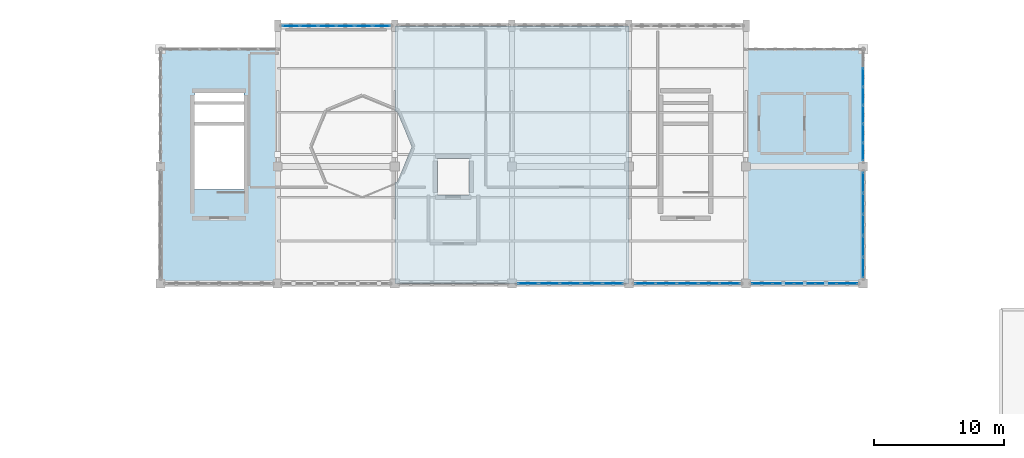
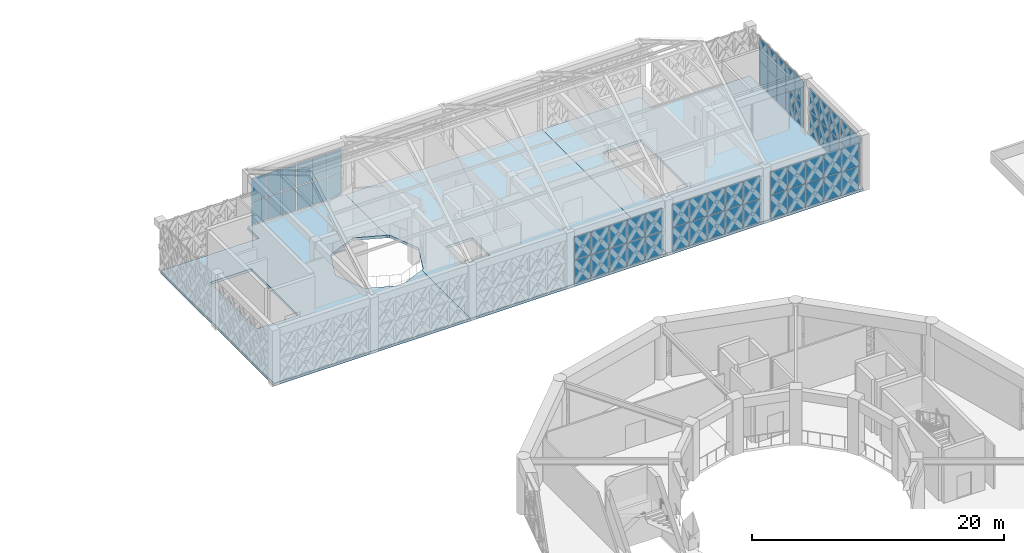
# One storey, part 62 of 72: 62 plates, 3 slabs, 6 elements without a shape of their own.
"""IFC4 building model written with IfcOpenShell, lengths in metres."""

from ifc_helpers import new_model, si_unit, direction, frame, origin, origin_2d, place, context, subcontext, project, spatial, polyline, rectangle, outline, extrude, material, layer, layer_set, type_object, element, aggregate, save


model = new_model("IFC4")

# Units and contexts
model_context = context("Model", 3, precision=1e-05, world=origin(), true_north=direction((0.0, 1.0)))
body_context = subcontext(model_context, "Body", "Model", "MODEL_VIEW")
ifc_project = project(units=[si_unit("LENGTHUNIT", "METRE"), si_unit("AREAUNIT", "SQUARE_METRE"), si_unit("VOLUMEUNIT", "CUBIC_METRE"), si_unit("PLANEANGLEUNIT", "RADIAN"), si_unit("MASSUNIT", "GRAM", prefix="KILO")], contexts=[model_context])

# Site, building, storey
site_placement = place(None, origin())
site = spatial("IfcSite", under=ifc_project, at=site_placement, CompositionType="ELEMENT")
building_placement = place(site_placement, origin())
building = spatial("IfcBuilding", under=site, at=building_placement, Name="Haizhuo Lancet Aquarium", CompositionType="ELEMENT")
storey_placement = place(building_placement, frame((0.0, 0.0, 21.60009765625)))
storey = spatial("IfcBuildingStorey", under=building, at=storey_placement, Name="L04", CompositionType="ELEMENT", Elevation=21.60009765625)

# Curtain wall, plates
ifc_material_1 = material(Name="Aluminium 6063-T6", Category="aluminium")
curtain_wall_type_1 = type_object("IfcCurtainWallType", Name="CWD-8410x4650", PredefinedType="NOTDEFINED", material=ifc_material_1)
curtain_wall_1_placement = place(storey_placement, origin())
curtain_wall_1 = element("IfcCurtainWall", 1, at=curtain_wall_1_placement, inside=storey, type_object=curtain_wall_type_1, Name="L04 curtain wall CW-V5-L04-177", PredefinedType="NOTDEFINED")
ifc_material_2 = material(Name="Laminated Low-E Glass", Category="glass")
ifc_layer_1 = layer(ifc_material_2, 0.028076171875)
ifc_layer_set_1 = layer_set([ifc_layer_1], Name="Laminated Low-E Glass")
plate_type_1 = type_object("IfcPlateType", Name="CW-PNL-1", PredefinedType="CURTAIN_PANEL", material=ifc_layer_set_1)
plate_1_placement = place(storey_placement, frame((-16.98388671875, 55.800048828125, 0.079345703125), z_axis=(0.0, 0.0, 1.0), x_axis=(1.0, 0.0, 0.0)))
plate_1 = element("IfcPlate", 2, at=plate_1_placement, type_object=plate_type_1, Name="CWD-84x46 panel 1.1", PredefinedType="CURTAIN_PANEL", context=body_context, shape_type="SweptSolid", body=[
    extrude(rectangle(XDim=1.281982421875, YDim=0.028076171875, at=origin_2d()), origin(), (0.0, 0.0, 1.0), 2.205078125),
])
plate_2_placement = place(storey_placement, frame((-16.98388671875, 55.800048828125, 2.365478515625), z_axis=(0.0, 0.0, 1.0), x_axis=(1.0, 0.0, 0.0)))
plate_2 = element("IfcPlate", 3, at=plate_2_placement, type_object=plate_type_1, Name="CWD-84x46 panel 1.2", PredefinedType="CURTAIN_PANEL", context=body_context, shape_type="SweptSolid", body=[
    extrude(rectangle(XDim=1.281982421875, YDim=0.028076171875, at=origin_2d()), origin(), (0.0, 0.0, 1.0), 2.205078125),
])
plate_3_placement = place(storey_placement, frame((-15.60205078125, 55.800048828125, 0.079345703125), z_axis=(0.0, 0.0, 1.0), x_axis=(1.0, 0.0, 0.0)))
plate_3 = element("IfcPlate", 4, at=plate_3_placement, type_object=plate_type_1, Name="CWD-84x46 panel 2.1", PredefinedType="CURTAIN_PANEL", context=body_context, shape_type="SweptSolid", body=[
    extrude(rectangle(XDim=1.322021484375, YDim=0.028076171875, at=origin_2d()), origin(), (0.0, 0.0, 1.0), 2.205078125),
])
plate_4_placement = place(storey_placement, frame((-15.60205078125, 55.800048828125, 2.365478515625), z_axis=(0.0, 0.0, 1.0), x_axis=(1.0, 0.0, 0.0)))
plate_4 = element("IfcPlate", 5, at=plate_4_placement, type_object=plate_type_1, Name="CWD-84x46 panel 2.2", PredefinedType="CURTAIN_PANEL", context=body_context, shape_type="SweptSolid", body=[
    extrude(rectangle(XDim=1.322021484375, YDim=0.028076171875, at=origin_2d()), origin(), (0.0, 0.0, 1.0), 2.205078125),
])
plate_5_placement = place(storey_placement, frame((-14.200927734375, 55.800048828125, 0.079345703125), z_axis=(0.0, 0.0, 1.0), x_axis=(1.0, 0.0, 0.0)))
plate_5 = element("IfcPlate", 6, at=plate_5_placement, type_object=plate_type_1, Name="CWD-84x46 panel 3.1", PredefinedType="CURTAIN_PANEL", context=body_context, shape_type="SweptSolid", body=[
    extrude(rectangle(XDim=1.322021484375, YDim=0.028076171875, at=origin_2d()), origin(), (0.0, 0.0, 1.0), 2.205078125),
])
plate_6_placement = place(storey_placement, frame((-14.200927734375, 55.800048828125, 2.365478515625), z_axis=(0.0, 0.0, 1.0), x_axis=(1.0, 0.0, 0.0)))
plate_6 = element("IfcPlate", 7, at=plate_6_placement, type_object=plate_type_1, Name="CWD-84x46 panel 3.2", PredefinedType="CURTAIN_PANEL", context=body_context, shape_type="SweptSolid", body=[
    extrude(rectangle(XDim=1.322021484375, YDim=0.028076171875, at=origin_2d()), origin(), (0.0, 0.0, 1.0), 2.205078125),
])
plate_7_placement = place(storey_placement, frame((-12.799072265625, 55.800048828125, 0.079345703125), z_axis=(0.0, 0.0, 1.0), x_axis=(1.0, 0.0, 0.0)))
plate_7 = element("IfcPlate", 8, at=plate_7_placement, type_object=plate_type_1, Name="CWD-84x46 panel 4.1", PredefinedType="CURTAIN_PANEL", context=body_context, shape_type="SweptSolid", body=[
    extrude(rectangle(XDim=1.322021484375, YDim=0.028076171875, at=origin_2d()), origin(), (0.0, 0.0, 1.0), 2.205078125),
])
plate_8_placement = place(storey_placement, frame((-12.799072265625, 55.800048828125, 2.365478515625), z_axis=(0.0, 0.0, 1.0), x_axis=(1.0, 0.0, 0.0)))
plate_8 = element("IfcPlate", 9, at=plate_8_placement, type_object=plate_type_1, Name="CWD-84x46 panel 4.2", PredefinedType="CURTAIN_PANEL", context=body_context, shape_type="SweptSolid", body=[
    extrude(rectangle(XDim=1.322021484375, YDim=0.028076171875, at=origin_2d()), origin(), (0.0, 0.0, 1.0), 2.205078125),
])
plate_9_placement = place(storey_placement, frame((-11.39697265625, 55.800048828125, 0.079345703125), z_axis=(0.0, 0.0, 1.0), x_axis=(1.0, 0.0, 0.0)))
plate_9 = element("IfcPlate", 10, at=plate_9_placement, type_object=plate_type_1, Name="CWD-84x46 panel 5.1", PredefinedType="CURTAIN_PANEL", context=body_context, shape_type="SweptSolid", body=[
    extrude(rectangle(XDim=1.322021484375, YDim=0.028076171875, at=origin_2d()), origin(), (0.0, 0.0, 1.0), 2.205078125),
])
plate_10_placement = place(storey_placement, frame((-11.39697265625, 55.800048828125, 2.365478515625), z_axis=(0.0, 0.0, 1.0), x_axis=(1.0, 0.0, 0.0)))
plate_10 = element("IfcPlate", 11, at=plate_10_placement, type_object=plate_type_1, Name="CWD-84x46 panel 5.2", PredefinedType="CURTAIN_PANEL", context=body_context, shape_type="SweptSolid", body=[
    extrude(rectangle(XDim=1.322021484375, YDim=0.028076171875, at=origin_2d()), origin(), (0.0, 0.0, 1.0), 2.205078125),
])
plate_11_placement = place(storey_placement, frame((-10.01611328125, 55.800048828125, 0.079345703125), z_axis=(0.0, 0.0, 1.0), x_axis=(1.0, 0.0, 0.0)))
plate_11 = element("IfcPlate", 12, at=plate_11_placement, type_object=plate_type_1, Name="CWD-84x46 panel 6.1", PredefinedType="CURTAIN_PANEL", context=body_context, shape_type="SweptSolid", body=[
    extrude(rectangle(XDim=1.281982421875, YDim=0.028076171875, at=origin_2d()), origin(), (0.0, 0.0, 1.0), 2.205078125),
])
plate_12_placement = place(storey_placement, frame((-10.01611328125, 55.800048828125, 2.365478515625), z_axis=(0.0, 0.0, 1.0), x_axis=(1.0, 0.0, 0.0)))
plate_12 = element("IfcPlate", 13, at=plate_12_placement, type_object=plate_type_1, Name="CWD-84x46 panel 6.2", PredefinedType="CURTAIN_PANEL", context=body_context, shape_type="SweptSolid", body=[
    extrude(rectangle(XDim=1.281982421875, YDim=0.028076171875, at=origin_2d()), origin(), (0.0, 0.0, 1.0), 2.205078125),
])
aggregate(curtain_wall_1, [plate_1, plate_2, plate_3, plate_4, plate_5, plate_6, plate_7, plate_8, plate_9, plate_10, plate_11, plate_12])

curtain_wall_type_2 = type_object("IfcCurtainWallType", Name="CWD-8210x4650", PredefinedType="NOTDEFINED", material=ifc_material_1)
curtain_wall_2_placement = place(storey_placement, origin())
curtain_wall_2 = element("IfcCurtainWall", 14, at=curtain_wall_2_placement, inside=storey, type_object=curtain_wall_type_2, Name="L04 curtain wall CW-V5-L04-185", PredefinedType="NOTDEFINED")
plate_13_placement = place(storey_placement, frame((16.764892578125, 36.0, 0.074951171875), z_axis=(0.0, 0.0, 1.0), x_axis=(-1.0, 0.0, 0.0)))
plate_13 = element("IfcPlate", 15, at=plate_13_placement, type_object=plate_type_1, Name="CWD-82x46 panel 1.1", PredefinedType="CURTAIN_PANEL", context=body_context, shape_type="SweptSolid", body=[
    extrude(rectangle(XDim=1.530029296875, YDim=0.028076171875, at=origin_2d()), origin(), (0.0, 0.0, 1.0), 2.2119140625),
])
plate_14_placement = place(storey_placement, frame((16.764892578125, 36.0, 2.363037109375), z_axis=(0.0, 0.0, 1.0), x_axis=(-1.0, 0.0, 0.0)))
plate_14 = element("IfcPlate", 16, at=plate_14_placement, type_object=plate_type_1, Name="CWD-82x46 panel 1.2", PredefinedType="CURTAIN_PANEL", context=body_context, shape_type="SweptSolid", body=[
    extrude(rectangle(XDim=1.530029296875, YDim=0.028076171875, at=origin_2d()), origin(), (0.0, 0.0, 1.0), 2.2119140625),
])
plate_15_placement = place(storey_placement, frame((15.14208984375, 36.0, 0.074951171875), z_axis=(0.0, 0.0, 1.0), x_axis=(-1.0, 0.0, 0.0)))
plate_15 = element("IfcPlate", 17, at=plate_15_placement, type_object=plate_type_1, Name="CWD-82x46 panel 2.1", PredefinedType="CURTAIN_PANEL", context=body_context, shape_type="SweptSolid", body=[
    extrude(rectangle(XDim=1.56689453125, YDim=0.028076171875, at=origin_2d()), origin(), (0.0, 0.0, 1.0), 2.2119140625),
])
plate_16_placement = place(storey_placement, frame((15.14208984375, 36.0, 2.363037109375), z_axis=(0.0, 0.0, 1.0), x_axis=(-1.0, 0.0, 0.0)))
plate_16 = element("IfcPlate", 18, at=plate_16_placement, type_object=plate_type_1, Name="CWD-82x46 panel 2.2", PredefinedType="CURTAIN_PANEL", context=body_context, shape_type="SweptSolid", body=[
    extrude(rectangle(XDim=1.56689453125, YDim=0.028076171875, at=origin_2d()), origin(), (0.0, 0.0, 1.0), 2.2119140625),
])
plate_17_placement = place(storey_placement, frame((13.5, 36.0, 0.074951171875), z_axis=(0.0, 0.0, 1.0), x_axis=(-1.0, 0.0, 0.0)))
plate_17 = element("IfcPlate", 19, at=plate_17_placement, type_object=plate_type_1, Name="CWD-82x46 panel 3.1", PredefinedType="CURTAIN_PANEL", context=body_context, shape_type="SweptSolid", body=[
    extrude(rectangle(XDim=1.56689453125, YDim=0.028076171875, at=origin_2d()), origin(), (0.0, 0.0, 1.0), 2.2119140625),
])
plate_18_placement = place(storey_placement, frame((13.5, 36.0, 2.363037109375), z_axis=(0.0, 0.0, 1.0), x_axis=(-1.0, 0.0, 0.0)))
plate_18 = element("IfcPlate", 20, at=plate_18_placement, type_object=plate_type_1, Name="CWD-82x46 panel 3.2", PredefinedType="CURTAIN_PANEL", context=body_context, shape_type="SweptSolid", body=[
    extrude(rectangle(XDim=1.56689453125, YDim=0.028076171875, at=origin_2d()), origin(), (0.0, 0.0, 1.0), 2.2119140625),
])
plate_19_placement = place(storey_placement, frame((11.85791015625, 36.0, 0.074951171875), z_axis=(0.0, 0.0, 1.0), x_axis=(-1.0, 0.0, 0.0)))
plate_19 = element("IfcPlate", 21, at=plate_19_placement, type_object=plate_type_1, Name="CWD-82x46 panel 4.1", PredefinedType="CURTAIN_PANEL", context=body_context, shape_type="SweptSolid", body=[
    extrude(rectangle(XDim=1.56689453125, YDim=0.028076171875, at=origin_2d()), origin(), (0.0, 0.0, 1.0), 2.2119140625),
])
plate_20_placement = place(storey_placement, frame((11.85791015625, 36.0, 2.363037109375), z_axis=(0.0, 0.0, 1.0), x_axis=(-1.0, 0.0, 0.0)))
plate_20 = element("IfcPlate", 22, at=plate_20_placement, type_object=plate_type_1, Name="CWD-82x46 panel 4.2", PredefinedType="CURTAIN_PANEL", context=body_context, shape_type="SweptSolid", body=[
    extrude(rectangle(XDim=1.56689453125, YDim=0.028076171875, at=origin_2d()), origin(), (0.0, 0.0, 1.0), 2.2119140625),
])
plate_21_placement = place(storey_placement, frame((10.235107421875, 36.0, 0.074951171875), z_axis=(0.0, 0.0, 1.0), x_axis=(-1.0, 0.0, 0.0)))
plate_21 = element("IfcPlate", 23, at=plate_21_placement, type_object=plate_type_1, Name="CWD-82x46 panel 5.1", PredefinedType="CURTAIN_PANEL", context=body_context, shape_type="SweptSolid", body=[
    extrude(rectangle(XDim=1.530029296875, YDim=0.028076171875, at=origin_2d()), origin(), (0.0, 0.0, 1.0), 2.2119140625),
])
plate_22_placement = place(storey_placement, frame((10.235107421875, 36.0, 2.363037109375), z_axis=(0.0, 0.0, 1.0), x_axis=(-1.0, 0.0, 0.0)))
plate_22 = element("IfcPlate", 24, at=plate_22_placement, type_object=plate_type_1, Name="CWD-82x46 panel 5.2", PredefinedType="CURTAIN_PANEL", context=body_context, shape_type="SweptSolid", body=[
    extrude(rectangle(XDim=1.530029296875, YDim=0.028076171875, at=origin_2d()), origin(), (0.0, 0.0, 1.0), 2.2119140625),
])
aggregate(curtain_wall_2, [plate_13, plate_14, plate_15, plate_16, plate_17, plate_18, plate_19, plate_20, plate_21, plate_22])

curtain_wall_type_3 = type_object("IfcCurtainWallType", Name="CWD-8600x4700", PredefinedType="NOTDEFINED", material=ifc_material_1)
curtain_wall_3_placement = place(storey_placement, origin())
curtain_wall_3 = element("IfcCurtainWall", 25, at=curtain_wall_3_placement, inside=storey, type_object=curtain_wall_type_3, Name="L04 curtain wall CW-V5-L04-182", PredefinedType="NOTDEFINED")
ifc_layer_2 = layer(ifc_material_2, 0.033935546875)
ifc_layer_set_2 = layer_set([ifc_layer_2], Name="Laminated Low-E Glass")
plate_type_2 = type_object("IfcPlateType", Name="CW-PNL-2", PredefinedType="CURTAIN_PANEL", material=ifc_layer_set_2)
plate_23_placement = place(storey_placement, frame((27.0, 51.84912109375, 0.0751953125), z_axis=(0.0, 0.0, 1.0), x_axis=(0.0, -1.0, 0.0)))
plate_23 = element("IfcPlate", 26, at=plate_23_placement, type_object=plate_type_2, Name="CWD-86x47 panel 2.1", PredefinedType="CURTAIN_PANEL", context=body_context, shape_type="SweptSolid", body=[
    extrude(rectangle(XDim=1.35888671875, YDim=0.033935546875, at=origin_2d()), origin(), (0.0, 0.0, 1.0), 2.237060546875),
])
plate_24_placement = place(storey_placement, frame((27.0, 51.84912109375, 2.38720703125), z_axis=(0.0, 0.0, 1.0), x_axis=(0.0, -1.0, 0.0)))
plate_24 = element("IfcPlate", 27, at=plate_24_placement, type_object=plate_type_2, Name="CWD-86x47 panel 2.2", PredefinedType="CURTAIN_PANEL", context=body_context, shape_type="SweptSolid", body=[
    extrude(rectangle(XDim=1.35888671875, YDim=0.033935546875, at=origin_2d()), origin(), (0.0, 0.0, 1.0), 2.237060546875),
])
plate_25_placement = place(storey_placement, frame((27.0, 50.4150390625, 0.0751953125), z_axis=(0.0, 0.0, 1.0), x_axis=(0.0, -1.0, 0.0)))
plate_25 = element("IfcPlate", 28, at=plate_25_placement, type_object=plate_type_2, Name="CWD-86x47 panel 3.1", PredefinedType="CURTAIN_PANEL", context=body_context, shape_type="SweptSolid", body=[
    extrude(rectangle(XDim=1.35888671875, YDim=0.033935546875, at=origin_2d()), origin(), (0.0, 0.0, 1.0), 2.237060546875),
])
plate_26_placement = place(storey_placement, frame((27.0, 50.4150390625, 2.38720703125), z_axis=(0.0, 0.0, 1.0), x_axis=(0.0, -1.0, 0.0)))
plate_26 = element("IfcPlate", 29, at=plate_26_placement, type_object=plate_type_2, Name="CWD-86x47 panel 3.2", PredefinedType="CURTAIN_PANEL", context=body_context, shape_type="SweptSolid", body=[
    extrude(rectangle(XDim=1.35888671875, YDim=0.033935546875, at=origin_2d()), origin(), (0.0, 0.0, 1.0), 2.237060546875),
])
plate_27_placement = place(storey_placement, frame((27.0, 48.97998046875, 0.0751953125), z_axis=(0.0, 0.0, 1.0), x_axis=(0.0, -1.0, 0.0)))
plate_27 = element("IfcPlate", 30, at=plate_27_placement, type_object=plate_type_2, Name="CWD-86x47 panel 4.1", PredefinedType="CURTAIN_PANEL", context=body_context, shape_type="SweptSolid", body=[
    extrude(rectangle(XDim=1.35888671875, YDim=0.033935546875, at=origin_2d()), origin(), (0.0, 0.0, 1.0), 2.237060546875),
])
plate_28_placement = place(storey_placement, frame((27.0, 48.97998046875, 2.38720703125), z_axis=(0.0, 0.0, 1.0), x_axis=(0.0, -1.0, 0.0)))
plate_28 = element("IfcPlate", 31, at=plate_28_placement, type_object=plate_type_2, Name="CWD-86x47 panel 4.2", PredefinedType="CURTAIN_PANEL", context=body_context, shape_type="SweptSolid", body=[
    extrude(rectangle(XDim=1.35888671875, YDim=0.033935546875, at=origin_2d()), origin(), (0.0, 0.0, 1.0), 2.237060546875),
])
plate_29_placement = place(storey_placement, frame((27.0, 47.5458984375, 0.0751953125), z_axis=(0.0, 0.0, 1.0), x_axis=(0.0, -1.0, 0.0)))
plate_29 = element("IfcPlate", 32, at=plate_29_placement, type_object=plate_type_2, Name="CWD-86x47 panel 5.1", PredefinedType="CURTAIN_PANEL", context=body_context, shape_type="SweptSolid", body=[
    extrude(rectangle(XDim=1.35888671875, YDim=0.033935546875, at=origin_2d()), origin(), (0.0, 0.0, 1.0), 2.237060546875),
])
plate_30_placement = place(storey_placement, frame((27.0, 47.5458984375, 2.38720703125), z_axis=(0.0, 0.0, 1.0), x_axis=(0.0, -1.0, 0.0)))
plate_30 = element("IfcPlate", 33, at=plate_30_placement, type_object=plate_type_2, Name="CWD-86x47 panel 5.2", PredefinedType="CURTAIN_PANEL", context=body_context, shape_type="SweptSolid", body=[
    extrude(rectangle(XDim=1.35888671875, YDim=0.033935546875, at=origin_2d()), origin(), (0.0, 0.0, 1.0), 2.237060546875),
])
plate_31_placement = place(storey_placement, frame((27.0, 46.131103515625, 0.0751953125), z_axis=(0.0, 0.0, 1.0), x_axis=(0.0, -1.0, 0.0)))
plate_31 = element("IfcPlate", 34, at=plate_31_placement, type_object=plate_type_2, Name="CWD-86x47 panel 6.1", PredefinedType="CURTAIN_PANEL", context=body_context, shape_type="SweptSolid", body=[
    extrude(rectangle(XDim=1.322021484375, YDim=0.033935546875, at=origin_2d()), origin(), (0.0, 0.0, 1.0), 2.237060546875),
])
plate_32_placement = place(storey_placement, frame((27.0, 46.131103515625, 2.38720703125), z_axis=(0.0, 0.0, 1.0), x_axis=(0.0, -1.0, 0.0)))
plate_32 = element("IfcPlate", 35, at=plate_32_placement, type_object=plate_type_2, Name="CWD-86x47 panel 6.2", PredefinedType="CURTAIN_PANEL", context=body_context, shape_type="SweptSolid", body=[
    extrude(rectangle(XDim=1.322021484375, YDim=0.033935546875, at=origin_2d()), origin(), (0.0, 0.0, 1.0), 2.237060546875),
])
aggregate(curtain_wall_3, [plate_23, plate_24, plate_25, plate_26, plate_27, plate_28, plate_29, plate_30, plate_31, plate_32])

curtain_wall_4_placement = place(storey_placement, origin())
curtain_wall_4 = element("IfcCurtainWall", 36, at=curtain_wall_4_placement, inside=storey, type_object=curtain_wall_type_2, Name="L04 curtain wall CW-V5-L04-186", PredefinedType="NOTDEFINED")
plate_33_placement = place(storey_placement, frame((7.763916015625, 36.0, 0.079345703125), z_axis=(0.0, 0.0, 1.0), x_axis=(-1.0, 0.0, 0.0)))
plate_33 = element("IfcPlate", 37, at=plate_33_placement, type_object=plate_type_2, Name="CWD-82x46 panel 1.1", PredefinedType="CURTAIN_PANEL", context=body_context, shape_type="SweptSolid", body=[
    extrude(rectangle(XDim=1.52197265625, YDim=0.033935546875, at=origin_2d()), origin(), (0.0, 0.0, 1.0), 2.205078125),
])
plate_34_placement = place(storey_placement, frame((7.763916015625, 36.0, 2.365478515625), z_axis=(0.0, 0.0, 1.0), x_axis=(-1.0, 0.0, 0.0)))
plate_34 = element("IfcPlate", 38, at=plate_34_placement, type_object=plate_type_2, Name="CWD-82x46 panel 1.2", PredefinedType="CURTAIN_PANEL", context=body_context, shape_type="SweptSolid", body=[
    extrude(rectangle(XDim=1.52197265625, YDim=0.033935546875, at=origin_2d()), origin(), (0.0, 0.0, 1.0), 2.205078125),
])
plate_35_placement = place(storey_placement, frame((6.14208984375, 36.0, 0.079345703125), z_axis=(0.0, 0.0, 1.0), x_axis=(-1.0, 0.0, 0.0)))
plate_35 = element("IfcPlate", 39, at=plate_35_placement, type_object=plate_type_2, Name="CWD-82x46 panel 2.1", PredefinedType="CURTAIN_PANEL", context=body_context, shape_type="SweptSolid", body=[
    extrude(rectangle(XDim=1.56201171875, YDim=0.033935546875, at=origin_2d()), origin(), (0.0, 0.0, 1.0), 2.205078125),
])
plate_36_placement = place(storey_placement, frame((6.14208984375, 36.0, 2.365478515625), z_axis=(0.0, 0.0, 1.0), x_axis=(-1.0, 0.0, 0.0)))
plate_36 = element("IfcPlate", 40, at=plate_36_placement, type_object=plate_type_2, Name="CWD-82x46 panel 2.2", PredefinedType="CURTAIN_PANEL", context=body_context, shape_type="SweptSolid", body=[
    extrude(rectangle(XDim=1.56201171875, YDim=0.033935546875, at=origin_2d()), origin(), (0.0, 0.0, 1.0), 2.205078125),
])
plate_37_placement = place(storey_placement, frame((4.5, 36.0, 0.079345703125), z_axis=(0.0, 0.0, 1.0), x_axis=(-1.0, 0.0, 0.0)))
plate_37 = element("IfcPlate", 41, at=plate_37_placement, type_object=plate_type_2, Name="CWD-82x46 panel 3.1", PredefinedType="CURTAIN_PANEL", context=body_context, shape_type="SweptSolid", body=[
    extrude(rectangle(XDim=1.56201171875, YDim=0.033935546875, at=origin_2d()), origin(), (0.0, 0.0, 1.0), 2.205078125),
])
plate_38_placement = place(storey_placement, frame((4.5, 36.0, 2.365478515625), z_axis=(0.0, 0.0, 1.0), x_axis=(-1.0, 0.0, 0.0)))
plate_38 = element("IfcPlate", 42, at=plate_38_placement, type_object=plate_type_2, Name="CWD-82x46 panel 3.2", PredefinedType="CURTAIN_PANEL", context=body_context, shape_type="SweptSolid", body=[
    extrude(rectangle(XDim=1.56201171875, YDim=0.033935546875, at=origin_2d()), origin(), (0.0, 0.0, 1.0), 2.205078125),
])
plate_39_placement = place(storey_placement, frame((2.85791015625, 36.0, 0.079345703125), z_axis=(0.0, 0.0, 1.0), x_axis=(-1.0, 0.0, 0.0)))
plate_39 = element("IfcPlate", 43, at=plate_39_placement, type_object=plate_type_2, Name="CWD-82x46 panel 4.1", PredefinedType="CURTAIN_PANEL", context=body_context, shape_type="SweptSolid", body=[
    extrude(rectangle(XDim=1.56201171875, YDim=0.033935546875, at=origin_2d()), origin(), (0.0, 0.0, 1.0), 2.205078125),
])
plate_40_placement = place(storey_placement, frame((2.85791015625, 36.0, 2.365478515625), z_axis=(0.0, 0.0, 1.0), x_axis=(-1.0, 0.0, 0.0)))
plate_40 = element("IfcPlate", 44, at=plate_40_placement, type_object=plate_type_2, Name="CWD-82x46 panel 4.2", PredefinedType="CURTAIN_PANEL", context=body_context, shape_type="SweptSolid", body=[
    extrude(rectangle(XDim=1.56201171875, YDim=0.033935546875, at=origin_2d()), origin(), (0.0, 0.0, 1.0), 2.205078125),
])
plate_41_placement = place(storey_placement, frame((1.236083984375, 36.0, 0.079345703125), z_axis=(0.0, 0.0, 1.0), x_axis=(-1.0, 0.0, 0.0)))
plate_41 = element("IfcPlate", 45, at=plate_41_placement, type_object=plate_type_2, Name="CWD-82x46 panel 5.1", PredefinedType="CURTAIN_PANEL", context=body_context, shape_type="SweptSolid", body=[
    extrude(rectangle(XDim=1.52197265625, YDim=0.033935546875, at=origin_2d()), origin(), (0.0, 0.0, 1.0), 2.205078125),
])
plate_42_placement = place(storey_placement, frame((1.236083984375, 36.0, 2.365478515625), z_axis=(0.0, 0.0, 1.0), x_axis=(-1.0, 0.0, 0.0)))
plate_42 = element("IfcPlate", 46, at=plate_42_placement, type_object=plate_type_2, Name="CWD-82x46 panel 5.2", PredefinedType="CURTAIN_PANEL", context=body_context, shape_type="SweptSolid", body=[
    extrude(rectangle(XDim=1.52197265625, YDim=0.033935546875, at=origin_2d()), origin(), (0.0, 0.0, 1.0), 2.205078125),
])
aggregate(curtain_wall_4, [plate_33, plate_34, plate_35, plate_36, plate_37, plate_38, plate_39, plate_40, plate_41, plate_42])

curtain_wall_type_4 = type_object("IfcCurtainWallType", Name="CWD-8210x4700", PredefinedType="NOTDEFINED", material=ifc_material_1)
curtain_wall_5_placement = place(storey_placement, origin())
curtain_wall_5 = element("IfcCurtainWall", 47, at=curtain_wall_5_placement, inside=storey, type_object=curtain_wall_type_4, Name="L04 curtain wall CW-V5-L04-183", PredefinedType="NOTDEFINED")
ifc_layer_3 = layer(ifc_material_2, 0.0419921875)
ifc_layer_set_3 = layer_set([ifc_layer_3], Name="Laminated Low-E Glass")
plate_type_3 = type_object("IfcPlateType", Name="CW-PNL-3", PredefinedType="CURTAIN_PANEL", material=ifc_layer_set_3)
plate_43_placement = place(storey_placement, frame((27.0, 43.763916015625, 0.079833984375), z_axis=(0.0, 0.0, 1.0), x_axis=(0.0, -1.0, 0.0)))
plate_43 = element("IfcPlate", 48, at=plate_43_placement, type_object=plate_type_3, Name="CWD-82x47 panel 1.1", PredefinedType="CURTAIN_PANEL", context=body_context, shape_type="SweptSolid", body=[
    extrude(rectangle(XDim=1.52197265625, YDim=0.0419921875, at=origin_2d()), origin(), (0.0, 0.0, 1.0), 2.22998046875),
])
plate_44_placement = place(storey_placement, frame((27.0, 43.763916015625, 2.389892578125), z_axis=(0.0, 0.0, 1.0), x_axis=(0.0, -1.0, 0.0)))
plate_44 = element("IfcPlate", 49, at=plate_44_placement, type_object=plate_type_3, Name="CWD-82x47 panel 1.2", PredefinedType="CURTAIN_PANEL", context=body_context, shape_type="SweptSolid", body=[
    extrude(rectangle(XDim=1.52197265625, YDim=0.0419921875, at=origin_2d()), origin(), (0.0, 0.0, 1.0), 2.22998046875),
])
plate_45_placement = place(storey_placement, frame((27.0, 42.14208984375, 0.079833984375), z_axis=(0.0, 0.0, 1.0), x_axis=(0.0, -1.0, 0.0)))
plate_45 = element("IfcPlate", 50, at=plate_45_placement, type_object=plate_type_3, Name="CWD-82x47 panel 2.1", PredefinedType="CURTAIN_PANEL", context=body_context, shape_type="SweptSolid", body=[
    extrude(rectangle(XDim=1.56201171875, YDim=0.0419921875, at=origin_2d()), origin(), (0.0, 0.0, 1.0), 2.22998046875),
])
plate_46_placement = place(storey_placement, frame((27.0, 42.14208984375, 2.389892578125), z_axis=(0.0, 0.0, 1.0), x_axis=(0.0, -1.0, 0.0)))
plate_46 = element("IfcPlate", 51, at=plate_46_placement, type_object=plate_type_3, Name="CWD-82x47 panel 2.2", PredefinedType="CURTAIN_PANEL", context=body_context, shape_type="SweptSolid", body=[
    extrude(rectangle(XDim=1.56201171875, YDim=0.0419921875, at=origin_2d()), origin(), (0.0, 0.0, 1.0), 2.22998046875),
])
plate_47_placement = place(storey_placement, frame((27.0, 40.5, 0.079833984375), z_axis=(0.0, 0.0, 1.0), x_axis=(0.0, -1.0, 0.0)))
plate_47 = element("IfcPlate", 52, at=plate_47_placement, type_object=plate_type_3, Name="CWD-82x47 panel 3.1", PredefinedType="CURTAIN_PANEL", context=body_context, shape_type="SweptSolid", body=[
    extrude(rectangle(XDim=1.56201171875, YDim=0.0419921875, at=origin_2d()), origin(), (0.0, 0.0, 1.0), 2.22998046875),
])
plate_48_placement = place(storey_placement, frame((27.0, 40.5, 2.389892578125), z_axis=(0.0, 0.0, 1.0), x_axis=(0.0, -1.0, 0.0)))
plate_48 = element("IfcPlate", 53, at=plate_48_placement, type_object=plate_type_3, Name="CWD-82x47 panel 3.2", PredefinedType="CURTAIN_PANEL", context=body_context, shape_type="SweptSolid", body=[
    extrude(rectangle(XDim=1.56201171875, YDim=0.0419921875, at=origin_2d()), origin(), (0.0, 0.0, 1.0), 2.22998046875),
])
plate_49_placement = place(storey_placement, frame((27.0, 38.85791015625, 0.079833984375), z_axis=(0.0, 0.0, 1.0), x_axis=(0.0, -1.0, 0.0)))
plate_49 = element("IfcPlate", 54, at=plate_49_placement, type_object=plate_type_3, Name="CWD-82x47 panel 4.1", PredefinedType="CURTAIN_PANEL", context=body_context, shape_type="SweptSolid", body=[
    extrude(rectangle(XDim=1.56201171875, YDim=0.0419921875, at=origin_2d()), origin(), (0.0, 0.0, 1.0), 2.22998046875),
])
plate_50_placement = place(storey_placement, frame((27.0, 38.85791015625, 2.389892578125), z_axis=(0.0, 0.0, 1.0), x_axis=(0.0, -1.0, 0.0)))
plate_50 = element("IfcPlate", 55, at=plate_50_placement, type_object=plate_type_3, Name="CWD-82x47 panel 4.2", PredefinedType="CURTAIN_PANEL", context=body_context, shape_type="SweptSolid", body=[
    extrude(rectangle(XDim=1.56201171875, YDim=0.0419921875, at=origin_2d()), origin(), (0.0, 0.0, 1.0), 2.22998046875),
])
plate_51_placement = place(storey_placement, frame((27.0, 37.236083984375, 0.079833984375), z_axis=(0.0, 0.0, 1.0), x_axis=(0.0, -1.0, 0.0)))
plate_51 = element("IfcPlate", 56, at=plate_51_placement, type_object=plate_type_3, Name="CWD-82x47 panel 5.1", PredefinedType="CURTAIN_PANEL", context=body_context, shape_type="SweptSolid", body=[
    extrude(rectangle(XDim=1.52197265625, YDim=0.0419921875, at=origin_2d()), origin(), (0.0, 0.0, 1.0), 2.22998046875),
])
plate_52_placement = place(storey_placement, frame((27.0, 37.236083984375, 2.389892578125), z_axis=(0.0, 0.0, 1.0), x_axis=(0.0, -1.0, 0.0)))
plate_52 = element("IfcPlate", 57, at=plate_52_placement, type_object=plate_type_3, Name="CWD-82x47 panel 5.2", PredefinedType="CURTAIN_PANEL", context=body_context, shape_type="SweptSolid", body=[
    extrude(rectangle(XDim=1.52197265625, YDim=0.0419921875, at=origin_2d()), origin(), (0.0, 0.0, 1.0), 2.22998046875),
])
aggregate(curtain_wall_5, [plate_43, plate_44, plate_45, plate_46, plate_47, plate_48, plate_49, plate_50, plate_51, plate_52])

curtain_wall_6_placement = place(storey_placement, origin())
curtain_wall_6 = element("IfcCurtainWall", 58, at=curtain_wall_6_placement, inside=storey, type_object=curtain_wall_type_2, Name="L04 curtain wall CW-V5-L04-184", PredefinedType="NOTDEFINED")
ifc_layer_4 = layer(ifc_material_2, 0.052001953125)
ifc_layer_set_4 = layer_set([ifc_layer_4], Name="Laminated Low-E Glass")
plate_type_4 = type_object("IfcPlateType", Name="CW-PNL-4", PredefinedType="CURTAIN_PANEL", material=ifc_layer_set_4)
plate_53_placement = place(storey_placement, frame((25.76806640625, 36.0, 0.06494140625), z_axis=(0.0, 0.0, 1.0), x_axis=(-1.0, 0.0, 0.0)))
plate_53 = element("IfcPlate", 59, at=plate_53_placement, type_object=plate_type_4, Name="CWD-82x46 panel 1.1", PredefinedType="CURTAIN_PANEL", context=body_context, shape_type="SweptSolid", body=[
    extrude(rectangle(XDim=1.544921875, YDim=0.052001953125, at=origin_2d()), origin(), (0.0, 0.0, 1.0), 2.22802734375),
])
plate_54_placement = place(storey_placement, frame((25.76806640625, 36.0, 2.35693359375), z_axis=(0.0, 0.0, 1.0), x_axis=(-1.0, 0.0, 0.0)))
plate_54 = element("IfcPlate", 60, at=plate_54_placement, type_object=plate_type_4, Name="CWD-82x46 panel 1.2", PredefinedType="CURTAIN_PANEL", context=body_context, shape_type="SweptSolid", body=[
    extrude(rectangle(XDim=1.544921875, YDim=0.052001953125, at=origin_2d()), origin(), (0.0, 0.0, 1.0), 2.22802734375),
])
plate_55_placement = place(storey_placement, frame((24.14208984375, 36.0, 0.06494140625), z_axis=(0.0, 0.0, 1.0), x_axis=(-1.0, 0.0, 0.0)))
plate_55 = element("IfcPlate", 61, at=plate_55_placement, type_object=plate_type_4, Name="CWD-82x46 panel 2.1", PredefinedType="CURTAIN_PANEL", context=body_context, shape_type="SweptSolid", body=[
    extrude(rectangle(XDim=1.576904296875, YDim=0.052001953125, at=origin_2d()), origin(), (0.0, 0.0, 1.0), 2.22802734375),
])
plate_56_placement = place(storey_placement, frame((24.14208984375, 36.0, 2.35693359375), z_axis=(0.0, 0.0, 1.0), x_axis=(-1.0, 0.0, 0.0)))
plate_56 = element("IfcPlate", 62, at=plate_56_placement, type_object=plate_type_4, Name="CWD-82x46 panel 2.2", PredefinedType="CURTAIN_PANEL", context=body_context, shape_type="SweptSolid", body=[
    extrude(rectangle(XDim=1.576904296875, YDim=0.052001953125, at=origin_2d()), origin(), (0.0, 0.0, 1.0), 2.22802734375),
])
plate_57_placement = place(storey_placement, frame((22.5, 36.0, 0.06494140625), z_axis=(0.0, 0.0, 1.0), x_axis=(-1.0, 0.0, 0.0)))
plate_57 = element("IfcPlate", 63, at=plate_57_placement, type_object=plate_type_4, Name="CWD-82x46 panel 3.1", PredefinedType="CURTAIN_PANEL", context=body_context, shape_type="SweptSolid", body=[
    extrude(rectangle(XDim=1.576904296875, YDim=0.052001953125, at=origin_2d()), origin(), (0.0, 0.0, 1.0), 2.22802734375),
])
plate_58_placement = place(storey_placement, frame((22.5, 36.0, 2.35693359375), z_axis=(0.0, 0.0, 1.0), x_axis=(-1.0, 0.0, 0.0)))
plate_58 = element("IfcPlate", 64, at=plate_58_placement, type_object=plate_type_4, Name="CWD-82x46 panel 3.2", PredefinedType="CURTAIN_PANEL", context=body_context, shape_type="SweptSolid", body=[
    extrude(rectangle(XDim=1.576904296875, YDim=0.052001953125, at=origin_2d()), origin(), (0.0, 0.0, 1.0), 2.22802734375),
])
plate_59_placement = place(storey_placement, frame((20.85791015625, 36.0, 0.06494140625), z_axis=(0.0, 0.0, 1.0), x_axis=(-1.0, 0.0, 0.0)))
plate_59 = element("IfcPlate", 65, at=plate_59_placement, type_object=plate_type_4, Name="CWD-82x46 panel 4.1", PredefinedType="CURTAIN_PANEL", context=body_context, shape_type="SweptSolid", body=[
    extrude(rectangle(XDim=1.576904296875, YDim=0.052001953125, at=origin_2d()), origin(), (0.0, 0.0, 1.0), 2.22802734375),
])
plate_60_placement = place(storey_placement, frame((20.85791015625, 36.0, 2.35693359375), z_axis=(0.0, 0.0, 1.0), x_axis=(-1.0, 0.0, 0.0)))
plate_60 = element("IfcPlate", 66, at=plate_60_placement, type_object=plate_type_4, Name="CWD-82x46 panel 4.2", PredefinedType="CURTAIN_PANEL", context=body_context, shape_type="SweptSolid", body=[
    extrude(rectangle(XDim=1.576904296875, YDim=0.052001953125, at=origin_2d()), origin(), (0.0, 0.0, 1.0), 2.22802734375),
])
plate_61_placement = place(storey_placement, frame((19.23193359375, 36.0, 0.06494140625), z_axis=(0.0, 0.0, 1.0), x_axis=(-1.0, 0.0, 0.0)))
plate_61 = element("IfcPlate", 67, at=plate_61_placement, type_object=plate_type_4, Name="CWD-82x46 panel 5.1", PredefinedType="CURTAIN_PANEL", context=body_context, shape_type="SweptSolid", body=[
    extrude(rectangle(XDim=1.5439453125, YDim=0.052001953125, at=origin_2d()), origin(), (0.0, 0.0, 1.0), 2.22802734375),
])
plate_62_placement = place(storey_placement, frame((19.23193359375, 36.0, 2.35693359375), z_axis=(0.0, 0.0, 1.0), x_axis=(-1.0, 0.0, 0.0)))
plate_62 = element("IfcPlate", 68, at=plate_62_placement, type_object=plate_type_4, Name="CWD-82x46 panel 5.2", PredefinedType="CURTAIN_PANEL", context=body_context, shape_type="SweptSolid", body=[
    extrude(rectangle(XDim=1.5439453125, YDim=0.052001953125, at=origin_2d()), origin(), (0.0, 0.0, 1.0), 2.22802734375),
])
aggregate(curtain_wall_6, [plate_53, plate_54, plate_55, plate_56, plate_57, plate_58, plate_59, plate_60, plate_61, plate_62])

# Slabs
ifc_material_3 = material(Name="Concrete C40/50", Category="concrete")
ifc_layer_5 = layer(ifc_material_3, 0.25)
ifc_layer_set_5 = layer_set([ifc_layer_5], Name="Concrete C40/50")
slab_type = type_object("IfcSlabType", Name="SLB-TYP-250", PredefinedType="FLOOR", material=ifc_layer_set_5)
slab_1_placement = place(storey_placement, frame((0.0, 0.0, -0.25)))
element("IfcSlab", 69, at=slab_1_placement, inside=storey, type_object=slab_type, Name="L04 structural slab SL-L04-V5-01", PredefinedType="FLOOR", context=body_context, shape_type="SweptSolid", body=[
    extrude(outline(polyline([(-18.0, 54.0), (-27.0, 54.0), (-27.0, 36.0), (-9.0, 36.0), (-9.0, 43.736083984375), (-11.5, 42.699951171875), (-14.18701171875, 43.81298828125), (-15.300048828125, 46.5), (-14.18701171875, 49.18701171875), (-11.5, 50.300048828125), (-9.0, 49.263916015625), (-9.0, 55.800048828125), (-18.0, 55.800048828125), (-18.0, 54.0)]), holes=[polyline([(-20.60009765625, 43.22998046875), (-20.60009765625, 50.64990234375), (-24.39990234375, 50.64990234375), (-24.39990234375, 43.22998046875), (-20.60009765625, 43.22998046875)])]), origin(), (0.0, 0.0, 1.0), 0.25),
])
slab_2_placement = place(storey_placement, frame((0.0, 0.0, -0.25)))
element("IfcSlab", 70, at=slab_2_placement, inside=storey, type_object=slab_type, Name="L04 structural slab SL-L04-V5-02", PredefinedType="FLOOR", context=body_context, shape_type="SweptSolid", body=[
    extrude(outline(polyline([(-9.0, 55.800048828125), (-9.0, 49.263916015625), (-8.81298828125, 49.18701171875), (-7.699951171875, 46.5), (-8.81298828125, 43.81298828125), (-9.0, 43.736083984375), (-9.0, 36.0), (9.0, 36.0), (9.0, 55.800048828125), (-9.0, 55.800048828125)]), holes=[polyline([(-3.300048828125, 42.800048828125), (-3.300048828125, 45.60009765625), (-5.699951171875, 45.60009765625), (-5.699951171875, 42.800048828125), (-3.300048828125, 42.800048828125)])]), origin(), (0.0, 0.0, 1.0), 0.25),
])
slab_3_placement = place(storey_placement, frame((0.0, 0.0, -0.25)))
element("IfcSlab", 71, at=slab_3_placement, inside=storey, type_object=slab_type, Name="L04 structural slab SL-L04-V5-03", PredefinedType="FLOOR", context=body_context, shape_type="SweptSolid", body=[
    extrude(outline(polyline([(9.0, 55.800048828125), (9.0, 36.0), (27.0, 36.0), (27.0, 54.0), (18.0, 54.0), (18.0, 55.800048828125), (9.0, 55.800048828125)]), holes=[polyline([(11.60009765625, 43.22998046875), (15.10009765625, 43.22998046875), (15.10009765625, 50.64990234375), (11.60009765625, 50.64990234375), (11.60009765625, 43.22998046875)])]), origin(), (0.0, 0.0, 1.0), 0.25),
])

save(model, "model.ifc")
